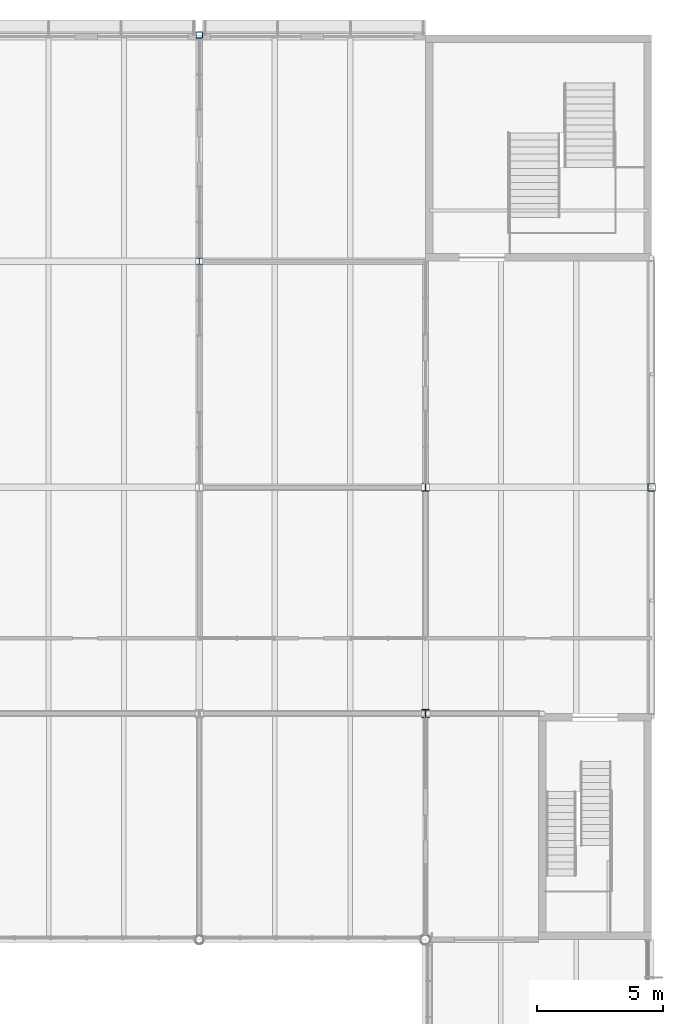
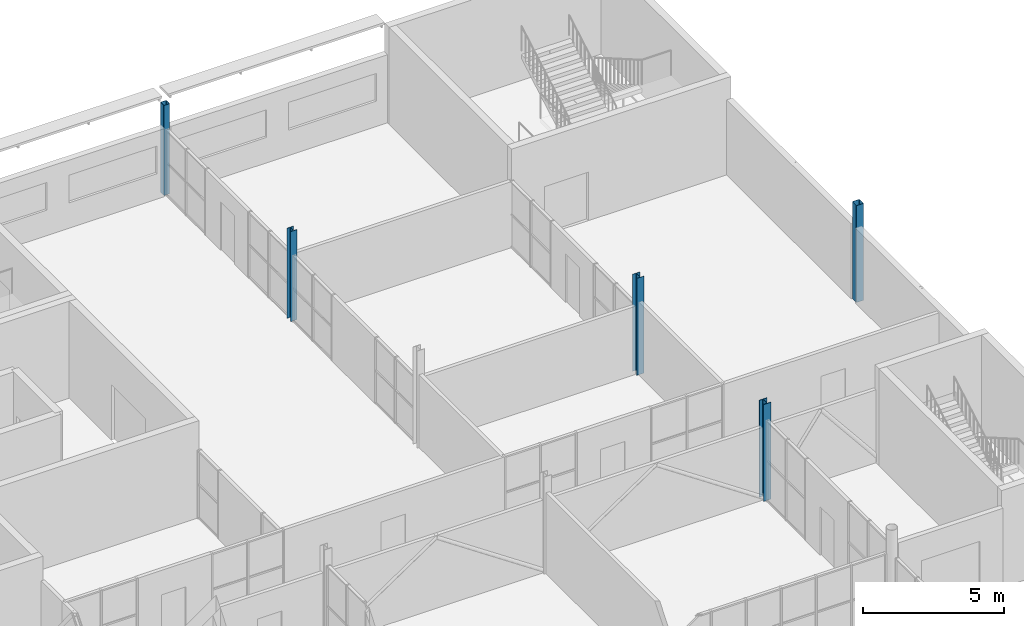
# One storey, part 6 of 57: 5 columns.
"""IFC4 building model written with IfcOpenShell, lengths in metres."""

from ifc_helpers import new_model, si_unit, direction, frame, origin, origin_2d, place, context, subcontext, project, spatial, hollow_rectangle, i_section, extrude, material, material_profile, profile_set, type_object, element, save


model = new_model("IFC4")

# Units and contexts
model_context = context("Model", 3, precision=1e-05, world=origin(), true_north=direction((0.0, 1.0)))
body_context = subcontext(model_context, "Body", "Model", "MODEL_VIEW")
ifc_project = project(units=[si_unit("LENGTHUNIT", "METRE"), si_unit("AREAUNIT", "SQUARE_METRE"), si_unit("VOLUMEUNIT", "CUBIC_METRE"), si_unit("PLANEANGLEUNIT", "RADIAN"), si_unit("MASSUNIT", "GRAM", prefix="KILO")], contexts=[model_context])

# Site, building, storey
site_placement = place(None, origin())
site = spatial("IfcSite", under=ifc_project, at=site_placement, CompositionType="ELEMENT")
building_placement = place(site_placement, origin())
building = spatial("IfcBuilding", under=site, at=building_placement, Name="Halyard Row Museum", CompositionType="ELEMENT")
storey_placement = place(building_placement, frame((0.0, 0.0, 5.0)))
storey = spatial("IfcBuildingStorey", under=building, at=storey_placement, Name="L01", CompositionType="ELEMENT", Elevation=5.0)

# Columns
ifc_material_1 = material(Name="Steel Grade 300", Category="steel")
ifc_material_profile_1 = material_profile(ifc_material_1, i_section(OverallWidth=0.25390625, OverallDepth=0.25390625, WebThickness=0.008544921875, FlangeThickness=0.01416015625, FilletRadius=0.013916015625, at=origin_2d()), Name="250UC72.9")
ifc_profile_set_1 = profile_set([ifc_material_profile_1], Name="Steel Grade 300")
column_type_1 = type_object("IfcColumnType", Name="Column 250UC72.9 interior", PredefinedType="COLUMN", material=ifc_profile_set_1)
column_1_placement = place(storey_placement, frame((90.0, 54.0, 0.0), z_axis=(0.0, 0.0, 1.0), x_axis=(1.0, 0.0, 0.0)))
element("IfcColumn", 1, at=column_1_placement, inside=storey, type_object=column_type_1, Name="Column 11G L01", PredefinedType="COLUMN", context=body_context, shape_type="SweptSolid", body=[
    extrude(i_section(OverallWidth=0.25390625, OverallDepth=0.25390625, WebThickness=0.008544921875, FlangeThickness=0.01416015625, FilletRadius=0.013916015625, at=origin_2d()), origin(), (0.0, 0.0, 1.0), 3.89990234375),
])
ifc_material_2 = material(Name="Steel Grade C350L0", Category="steel")
ifc_material_profile_2 = material_profile(ifc_material_2, hollow_rectangle(XDim=0.25, YDim=0.25, WallThickness=0.010009765625, InnerFilletRadius=0.014892578125, OuterFilletRadius=0.02490234375, at=origin_2d()), Name="250x250x10.0SHS")
ifc_profile_set_2 = profile_set([ifc_material_profile_2], Name="Steel Grade C350L0")
column_type_2 = type_object("IfcColumnType", Name="Column 250x250x10.0SHS edge", PredefinedType="COLUMN", material=ifc_profile_set_2)
column_2_placement = place(storey_placement, frame((90.0, 63.0, 0.0), z_axis=(0.0, 0.0, 1.0), x_axis=(1.0, 0.0, 0.0)))
element("IfcColumn", 2, at=column_2_placement, inside=storey, type_object=column_type_2, Name="Column 11H L01", PredefinedType="COLUMN", context=body_context, shape_type="SweptSolid", body=[
    extrude(hollow_rectangle(XDim=0.25, YDim=0.25, WallThickness=0.010009765625, InnerFilletRadius=0.014892578125, OuterFilletRadius=0.02490234375, at=origin_2d()), origin(), (0.0, 0.0, 1.0), 3.89990234375),
])
ifc_material_3 = material(Name="Steel Grade C350L0", Category="steel")
ifc_material_profile_3 = material_profile(ifc_material_3, hollow_rectangle(XDim=0.300048828125, YDim=0.300048828125, WallThickness=0.010009765625, InnerFilletRadius=0.014892578125, OuterFilletRadius=0.02490234375, at=origin_2d()), Name="300x300x10.0SHS")
ifc_profile_set_3 = profile_set([ifc_material_profile_3], Name="Steel Grade C350L0")
column_type_3 = type_object("IfcColumnType", Name="Column 300x300x10.0SHS edge", PredefinedType="COLUMN", material=ifc_profile_set_3)
column_3_placement = place(storey_placement, frame((108.0, 45.0, 0.0), z_axis=(0.0, 0.0, 1.0), x_axis=(1.0, 0.0, 0.0)))
element("IfcColumn", 3, at=column_3_placement, inside=storey, type_object=column_type_3, Name="Column 13F L01", PredefinedType="COLUMN", context=body_context, shape_type="SweptSolid", body=[
    extrude(hollow_rectangle(XDim=0.300048828125, YDim=0.300048828125, WallThickness=0.010009765625, InnerFilletRadius=0.014892578125, OuterFilletRadius=0.02490234375, at=origin_2d()), origin(), (0.0, 0.0, 1.0), 4.199951171875),
])
ifc_material_4 = material(Name="Steel Grade 300", Category="steel")
ifc_material_profile_4 = material_profile(ifc_material_4, i_section(OverallWidth=0.31103515625, OverallDepth=0.3271484375, WebThickness=0.015625, FlangeThickness=0.02490234375, FilletRadius=0.0166015625, at=origin_2d()), Name="310UC158")
ifc_profile_set_4 = profile_set([ifc_material_profile_4], Name="Steel Grade 300")
column_type_4 = type_object("IfcColumnType", Name="Column 310UC158 interior", PredefinedType="COLUMN", material=ifc_profile_set_4)
column_4_placement = place(storey_placement, frame((99.0, 36.0, 0.0), z_axis=(0.0, 0.0, 1.0), x_axis=(1.0, 0.0, 0.0)))
element("IfcColumn", 4, at=column_4_placement, inside=storey, type_object=column_type_4, Name="Column 12E L01", PredefinedType="COLUMN", context=body_context, shape_type="SweptSolid", body=[
    extrude(i_section(OverallWidth=0.31103515625, OverallDepth=0.3271484375, WebThickness=0.015625, FlangeThickness=0.02490234375, FilletRadius=0.0166015625, at=origin_2d()), origin(), (0.0, 0.0, 1.0), 4.199951171875),
])
ifc_material_5 = material(Name="Steel Grade 300", Category="steel")
ifc_material_profile_5 = material_profile(ifc_material_5, i_section(OverallWidth=0.304931640625, OverallDepth=0.30810546875, WebThickness=0.010009765625, FlangeThickness=0.015380859375, FilletRadius=0.0166015625, at=origin_2d()), Name="310UC96.8")
ifc_profile_set_5 = profile_set([ifc_material_profile_5], Name="Steel Grade 300")
column_type_5 = type_object("IfcColumnType", Name="Column 310UC96.8 interior", PredefinedType="COLUMN", material=ifc_profile_set_5)
column_5_placement = place(storey_placement, frame((99.0, 45.0, 0.0), z_axis=(0.0, 0.0, 1.0), x_axis=(1.0, 0.0, 0.0)))
element("IfcColumn", 5, at=column_5_placement, inside=storey, type_object=column_type_5, Name="Column 12F L01", PredefinedType="COLUMN", context=body_context, shape_type="SweptSolid", body=[
    extrude(i_section(OverallWidth=0.304931640625, OverallDepth=0.30810546875, WebThickness=0.010009765625, FlangeThickness=0.015380859375, FilletRadius=0.0166015625, at=origin_2d()), origin(), (0.0, 0.0, 1.0), 4.199951171875),
])

save(model, "model.ifc")
